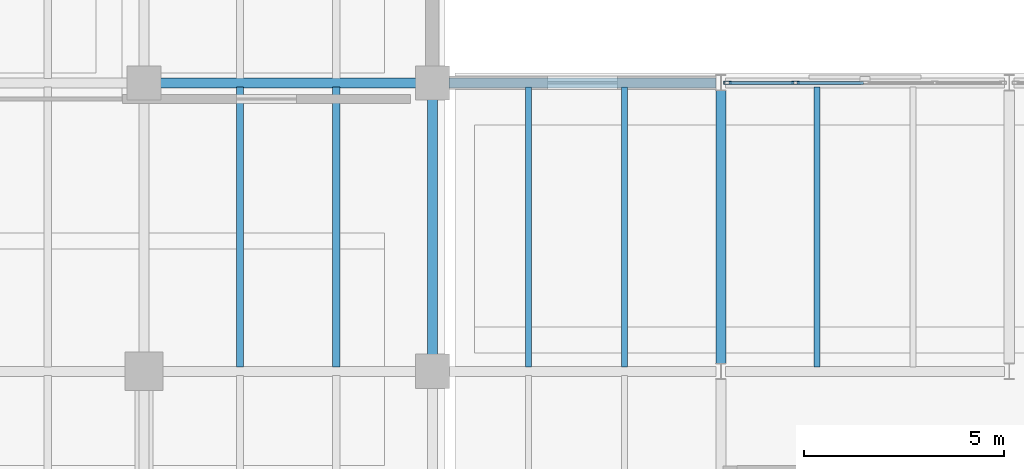
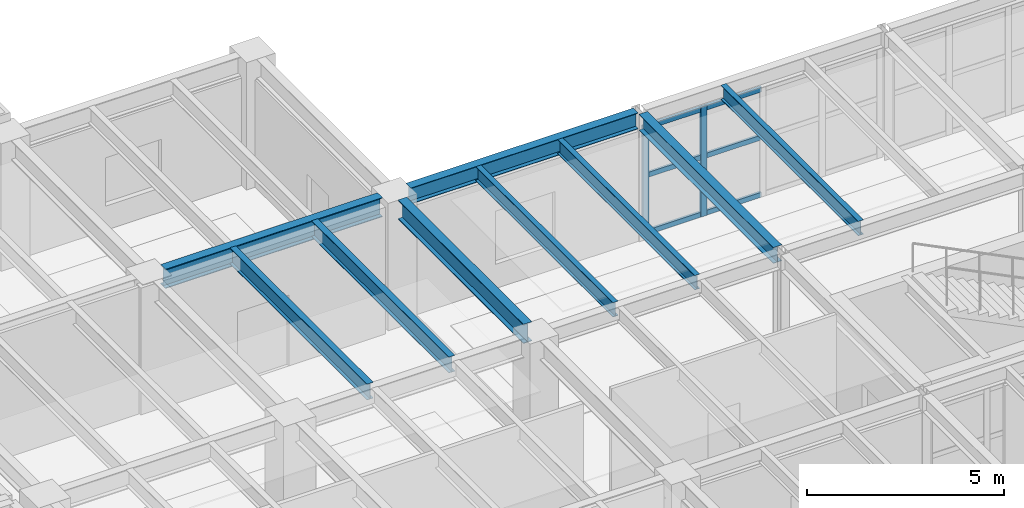
# One storey, part 17 of 59: 9 beams, 8 members, 1 element without a shape of its own.
"""IFC4 building model written with IfcOpenShell, lengths in metres."""

from ifc_helpers import new_model, si_unit, direction, frame, origin, origin_2d, place, context, subcontext, project, spatial, hollow_rectangle, i_section, extrude, material, layer, layer_set, material_profile, profile_set, type_object, element, aggregate, save


model = new_model("IFC4")

# Units and contexts
model_context = context("Model", 3, precision=1e-05, world=origin(), true_north=direction((0.0, 1.0)))
body_context = subcontext(model_context, "Body", "Model", "MODEL_VIEW")
ifc_project = project(units=[si_unit("LENGTHUNIT", "METRE"), si_unit("AREAUNIT", "SQUARE_METRE"), si_unit("VOLUMEUNIT", "CUBIC_METRE"), si_unit("PLANEANGLEUNIT", "RADIAN"), si_unit("MASSUNIT", "GRAM", prefix="KILO")], contexts=[model_context])

# Site, building, storey
site_placement = place(None, origin())
site = spatial("IfcSite", under=ifc_project, at=site_placement, CompositionType="ELEMENT")
building_placement = place(site_placement, origin())
building = spatial("IfcBuilding", under=site, at=building_placement, Name="Kandorven Conservatory and Botanical Research Centre", CompositionType="ELEMENT")
storey_placement = place(building_placement, frame((0.0, 0.0, 4.800048828125)))
storey = spatial("IfcBuildingStorey", under=building, at=storey_placement, Name="L01", CompositionType="ELEMENT", Elevation=4.800048828125)

# Beams
ifc_material_1 = material(Name="Steel S355 (IS 2062 E350)", Category="steel")
ifc_material_profile_1 = material_profile(ifc_material_1, i_section(OverallWidth=0.25, OverallDepth=0.60009765625, WebThickness=0.01171875, FlangeThickness=0.023681640625, at=origin_2d()))
ifc_profile_set_1 = profile_set([ifc_material_profile_1], Name="Steel S355 (IS 2062 E350)")
beam_type_1 = type_object("IfcBeamType", Name="Beam_FG-01", PredefinedType="USERDEFINED", material=ifc_profile_set_1)
beam_1_placement = place(storey_placement, frame((35.215087890625, 27.60009765625, 3.64990234375), z_axis=(1.0, 0.0, 0.0), x_axis=(0.0, 1.0, 0.0)))
element("IfcBeam", 1, at=beam_1_placement, inside=storey, type_object=beam_type_1, Name="Primary girder FG-01 TWR L01", ObjectType="GIRDER", PredefinedType="USERDEFINED", context=body_context, shape_type="SweptSolid", body=[
    extrude(i_section(OverallWidth=0.25, OverallDepth=0.60009765625, WebThickness=0.01171875, FlangeThickness=0.023681640625, at=origin_2d()), origin(), (0.0, 0.0, 1.0), 6.369873046875),
])
beam_2_placement = place(storey_placement, frame((42.0, 20.81494140625, 3.64990234375), z_axis=(0.0, 1.0, 0.0), x_axis=(-1.0, 0.0, 0.0)))
element("IfcBeam", 2, at=beam_2_placement, inside=storey, type_object=beam_type_1, Name="Primary girder FG-01 TWR L01", ObjectType="GIRDER", PredefinedType="USERDEFINED", context=body_context, shape_type="SweptSolid", body=[
    extrude(i_section(OverallWidth=0.25, OverallDepth=0.60009765625, WebThickness=0.01171875, FlangeThickness=0.023681640625, at=origin_2d()), origin(), (0.0, 0.0, 1.0), 6.3701171875),
])
ifc_material_2 = material(Name="Steel S355 (IS 2062 E350)", Category="steel")
ifc_material_profile_2 = material_profile(ifc_material_2, i_section(OverallWidth=0.25, OverallDepth=0.5, WebThickness=0.010009765625, FlangeThickness=0.0146484375, at=origin_2d()))
ifc_profile_set_2 = profile_set([ifc_material_profile_2], Name="Steel S355 (IS 2062 E350)")
beam_type_2 = type_object("IfcBeamType", Name="Beam_FG-02", PredefinedType="USERDEFINED", material=ifc_profile_set_2)
beam_3_placement = place(storey_placement, frame((42.4150390625, 27.60009765625, 3.699951171875), z_axis=(1.0, 0.0, 0.0), x_axis=(0.0, 1.0, 0.0)))
element("IfcBeam", 3, at=beam_3_placement, inside=storey, type_object=beam_type_2, Name="Primary girder FG-02 VIS L01", ObjectType="GIRDER", PredefinedType="USERDEFINED", context=body_context, shape_type="SweptSolid", body=[
    extrude(i_section(OverallWidth=0.25, OverallDepth=0.5, WebThickness=0.010009765625, FlangeThickness=0.0146484375, at=origin_2d()), origin(), (0.0, 0.0, 1.0), 6.669921875),
])
beam_4_placement = place(storey_placement, frame((49.199951171875, 20.590087890625, 3.699951171875), z_axis=(0.0, 1.0, 0.0), x_axis=(-1.0, 0.0, 0.0)))
element("IfcBeam", 4, at=beam_4_placement, inside=storey, type_object=beam_type_2, Name="Primary girder FG-02 VIS L01", ObjectType="GIRDER", PredefinedType="USERDEFINED", context=body_context, shape_type="SweptSolid", body=[
    extrude(i_section(OverallWidth=0.25, OverallDepth=0.5, WebThickness=0.010009765625, FlangeThickness=0.0146484375, at=origin_2d()), origin(), (0.0, 0.0, 1.0), 6.81982421875),
])
ifc_material_3 = material(Name="Steel S355 (IS 2062 E350)", Category="steel")
ifc_material_profile_3 = material_profile(ifc_material_3, i_section(OverallWidth=0.179931640625, OverallDepth=0.5, WebThickness=0.01025390625, FlangeThickness=0.01708984375, at=origin_2d()))
ifc_profile_set_3 = profile_set([ifc_material_profile_3], Name="Steel S355 (IS 2062 E350)")
beam_type_3 = type_object("IfcBeamType", Name="Beam_SB-03", PredefinedType="BEAM", material=ifc_profile_set_3)
for number, where, z_axis, x_axis, name in (
    (5, (37.199951171875, 20.510009765625, 3.699951171875), (0.0, 1.0, 0.0), (-1.0, 0.0, 0.0), "Composite secondary beam SB-03 TWR L01"),
    (6, (39.60009765625, 20.510009765625, 3.699951171875), (0.0, 1.0, 0.0), (-1.0, 0.0, 0.0), "Composite secondary beam SB-03 TWR L01"),
):
    element("IfcBeam", number, at=place(storey_placement, frame(where, z_axis=z_axis, x_axis=x_axis)), inside=storey, type_object=beam_type_3, Name=name, PredefinedType="BEAM", context=body_context, shape_type="SweptSolid", body=[
        extrude(i_section(OverallWidth=0.179931640625, OverallDepth=0.5, WebThickness=0.01025390625, FlangeThickness=0.01708984375, at=origin_2d()), origin(), (0.0, 0.0, 1.0), 6.97998046875),
    ])
ifc_material_4 = material(Name="Steel S355 (IS 2062 E350)", Category="steel")
ifc_material_profile_4 = material_profile(ifc_material_4, i_section(OverallWidth=0.14990234375, OverallDepth=0.449951171875, WebThickness=0.009521484375, FlangeThickness=0.017333984375, at=origin_2d()))
ifc_profile_set_4 = profile_set([ifc_material_profile_4], Name="Steel S355 (IS 2062 E350)")
beam_type_4 = type_object("IfcBeamType", Name="Beam_SB-04", PredefinedType="BEAM", material=ifc_profile_set_4)
for number, where, z_axis, x_axis, name in (
    (7, (44.39990234375, 20.510009765625, 3.724853515625), (0.0, 1.0, 0.0), (-1.0, 0.0, 0.0), "Composite secondary beam SB-04 VIS L01"),
    (8, (46.800048828125, 20.510009765625, 3.724853515625), (0.0, 1.0, 0.0), (-1.0, 0.0, 0.0), "Composite secondary beam SB-04 VIS L01"),
    (9, (51.60009765625, 20.510009765625, 3.724853515625), (0.0, 1.0, 0.0), (-1.0, 0.0, 0.0), "Composite secondary beam SB-04 VIS L01"),
):
    element("IfcBeam", number, at=place(storey_placement, frame(where, z_axis=z_axis, x_axis=x_axis)), inside=storey, type_object=beam_type_4, Name=name, PredefinedType="BEAM", context=body_context, shape_type="SweptSolid", body=[
        extrude(i_section(OverallWidth=0.14990234375, OverallDepth=0.449951171875, WebThickness=0.009521484375, FlangeThickness=0.017333984375, at=origin_2d()), origin(), (0.0, 0.0, 1.0), 6.97998046875),
    ])

# Curtain wall, members
ifc_material_5 = material(Name="Bronze anodised thermally broken aluminium", Category="aluminium")
ifc_layer = layer(ifc_material_5, 0.179931640625)
ifc_layer_set = layer_set([ifc_layer], Name="Bronze anodised thermally broken aluminium")
curtain_wall_type = type_object("IfcCurtainWallType", Name="CW_Unitised", PredefinedType="USERDEFINED", material=ifc_layer_set)
curtain_wall_placement = place(storey_placement, origin())
curtain_wall = element("IfcCurtainWall", 10, at=curtain_wall_placement, inside=storey, type_object=curtain_wall_type, Name="Visitor wing unitised curtain wall CW-VIS-N-L01-2", ObjectType="UNITISED GLAZING", PredefinedType="USERDEFINED")
ifc_material_6 = material(Name="Bronze anodised thermally broken aluminium", Category="aluminium")
ifc_material_profile_5 = material_profile(ifc_material_6, hollow_rectangle(XDim=0.080078125, YDim=0.179931640625, WallThickness=0.006103515625, at=origin_2d()))
ifc_profile_set_5 = profile_set([ifc_material_profile_5], Name="Bronze anodised thermally broken aluminium")
member_type_1 = type_object("IfcMemberType", Name="CW_Mullion", PredefinedType="MULLION", material=ifc_profile_set_5)
member_1_placement = place(storey_placement, frame((49.364990234375, 27.60009765625, 0.0), z_axis=(0.0, 0.0, 1.0), x_axis=(0.0, 1.0, 0.0)))
member_1 = element("IfcMember", 11, at=member_1_placement, type_object=member_type_1, Name="CW-01 mullion 1", PredefinedType="MULLION", context=body_context, shape_type="SweptSolid", body=[
    extrude(hollow_rectangle(XDim=0.080078125, YDim=0.179931640625, WallThickness=0.006103515625, at=origin_2d()), origin(), (0.0, 0.0, 1.0), 3.409912109375),
])
member_2_placement = place(storey_placement, frame((51.0625, 27.60009765625, 0.0), z_axis=(0.0, 0.0, 1.0), x_axis=(0.0, 1.0, 0.0)))
member_2 = element("IfcMember", 12, at=member_2_placement, type_object=member_type_1, Name="CW-01 mullion 2", PredefinedType="MULLION", context=body_context, shape_type="SweptSolid", body=[
    extrude(hollow_rectangle(XDim=0.080078125, YDim=0.179931640625, WallThickness=0.006103515625, at=origin_2d()), origin(), (0.0, 0.0, 1.0), 3.409912109375),
])
ifc_material_7 = material(Name="Bronze anodised thermally broken aluminium", Category="aluminium")
ifc_material_profile_6 = material_profile(ifc_material_7, hollow_rectangle(XDim=0.074951171875, YDim=0.14990234375, WallThickness=0.006103515625, at=origin_2d()))
ifc_profile_set_6 = profile_set([ifc_material_profile_6], Name="Bronze anodised thermally broken aluminium")
member_type_2 = type_object("IfcMemberType", Name="CW_Transom", PredefinedType="USERDEFINED", material=ifc_profile_set_6)
member_3_placement = place(storey_placement, frame((49.405029296875, 27.60009765625, 0.074951171875), z_axis=(1.0, 0.0, 0.0), x_axis=(0.0, 1.0, 0.0)))
member_3 = element("IfcMember", 13, at=member_3_placement, type_object=member_type_2, Name="CW-01 transom 1.1", ObjectType="TRANSOM", PredefinedType="USERDEFINED", context=body_context, shape_type="SweptSolid", body=[
    extrude(hollow_rectangle(XDim=0.074951171875, YDim=0.14990234375, WallThickness=0.006103515625, at=origin_2d()), origin(), (0.0, 0.0, 1.0), 1.617431640625),
])
member_4_placement = place(storey_placement, frame((49.405029296875, 27.60009765625, 1.849853515625), z_axis=(1.0, 0.0, 0.0), x_axis=(0.0, 1.0, 0.0)))
member_4 = element("IfcMember", 14, at=member_4_placement, type_object=member_type_2, Name="CW-01 transom 1.2", ObjectType="TRANSOM", PredefinedType="USERDEFINED", context=body_context, shape_type="SweptSolid", body=[
    extrude(hollow_rectangle(XDim=0.074951171875, YDim=0.14990234375, WallThickness=0.006103515625, at=origin_2d()), origin(), (0.0, 0.0, 1.0), 1.617431640625),
])
member_5_placement = place(storey_placement, frame((49.405029296875, 27.60009765625, 3.3349609375), z_axis=(1.0, 0.0, 0.0), x_axis=(0.0, 1.0, 0.0)))
member_5 = element("IfcMember", 15, at=member_5_placement, type_object=member_type_2, Name="CW-01 transom 1.3", ObjectType="TRANSOM", PredefinedType="USERDEFINED", context=body_context, shape_type="SweptSolid", body=[
    extrude(hollow_rectangle(XDim=0.074951171875, YDim=0.14990234375, WallThickness=0.006103515625, at=origin_2d()), origin(), (0.0, 0.0, 1.0), 1.617431640625),
])
member_6_placement = place(storey_placement, frame((51.1025390625, 27.60009765625, 0.074951171875), z_axis=(1.0, 0.0, 0.0), x_axis=(0.0, 1.0, 0.0)))
member_6 = element("IfcMember", 16, at=member_6_placement, type_object=member_type_2, Name="CW-01 transom 2.1", ObjectType="TRANSOM", PredefinedType="USERDEFINED", context=body_context, shape_type="SweptSolid", body=[
    extrude(hollow_rectangle(XDim=0.074951171875, YDim=0.14990234375, WallThickness=0.006103515625, at=origin_2d()), origin(), (0.0, 0.0, 1.0), 1.657470703125),
])
member_7_placement = place(storey_placement, frame((51.1025390625, 27.60009765625, 1.849853515625), z_axis=(1.0, 0.0, 0.0), x_axis=(0.0, 1.0, 0.0)))
member_7 = element("IfcMember", 17, at=member_7_placement, type_object=member_type_2, Name="CW-01 transom 2.2", ObjectType="TRANSOM", PredefinedType="USERDEFINED", context=body_context, shape_type="SweptSolid", body=[
    extrude(hollow_rectangle(XDim=0.074951171875, YDim=0.14990234375, WallThickness=0.006103515625, at=origin_2d()), origin(), (0.0, 0.0, 1.0), 1.657470703125),
])
member_8_placement = place(storey_placement, frame((51.1025390625, 27.60009765625, 3.3349609375), z_axis=(1.0, 0.0, 0.0), x_axis=(0.0, 1.0, 0.0)))
member_8 = element("IfcMember", 18, at=member_8_placement, type_object=member_type_2, Name="CW-01 transom 2.3", ObjectType="TRANSOM", PredefinedType="USERDEFINED", context=body_context, shape_type="SweptSolid", body=[
    extrude(hollow_rectangle(XDim=0.074951171875, YDim=0.14990234375, WallThickness=0.006103515625, at=origin_2d()), origin(), (0.0, 0.0, 1.0), 1.657470703125),
])
aggregate(curtain_wall, [member_1, member_2, member_3, member_4, member_5, member_6, member_7, member_8])

save(model, "model.ifc")
